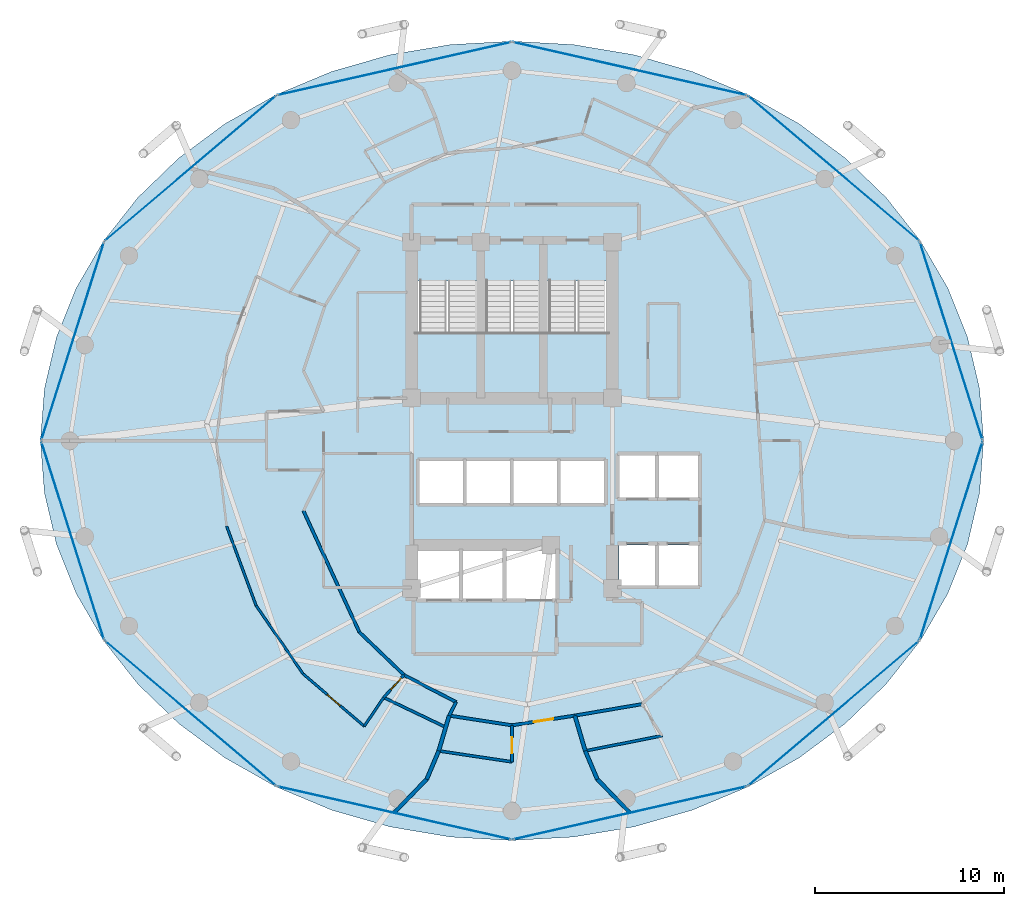
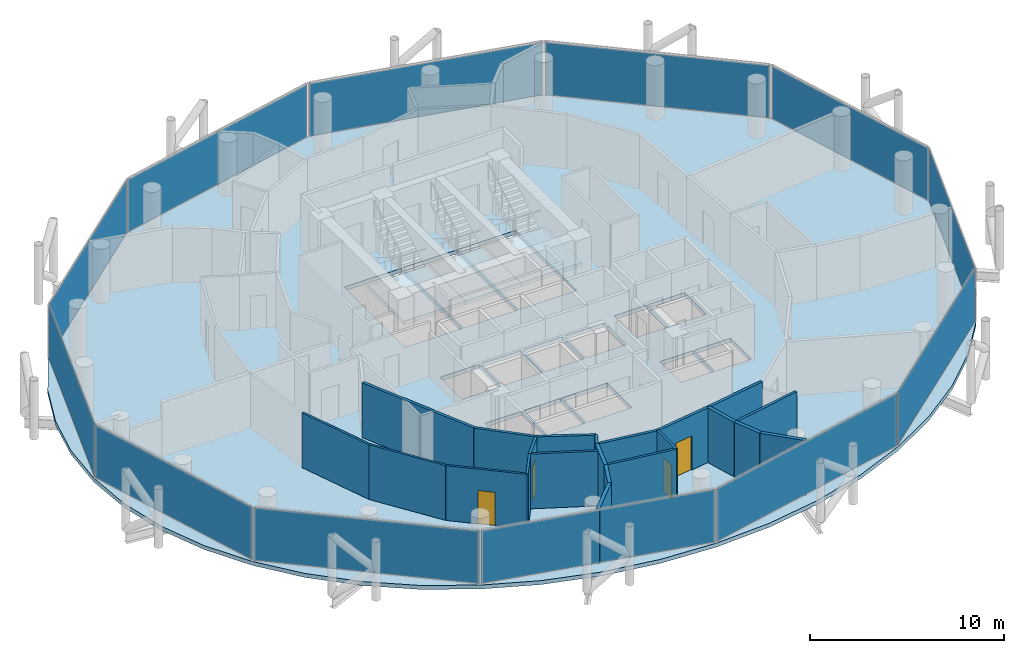
# One storey, part 21 of 26: 22 walls, 12 plates, 4 doors, 4 slabs, 4 openings, 15 elements without a shape of their own.
"""IFC4 building model written with IfcOpenShell, lengths in metres."""

from ifc_helpers import new_model, si_unit, direction, frame, frame_2d, origin, origin_2d, place, context, subcontext, project, spatial, polyline, rectangle, outline, extrude, material, layer, layer_set, type_object, element, fill, aggregate, save


model = new_model("IFC4")

# Units and contexts
model_context = context("Model", 3, precision=1e-05, world=origin(), true_north=direction((0.0, 1.0)))
body_context = subcontext(model_context, "Body", "Model", "MODEL_VIEW")
ifc_project = project(units=[si_unit("LENGTHUNIT", "METRE"), si_unit("AREAUNIT", "SQUARE_METRE"), si_unit("VOLUMEUNIT", "CUBIC_METRE"), si_unit("PLANEANGLEUNIT", "RADIAN"), si_unit("MASSUNIT", "GRAM", prefix="KILO")], contexts=[model_context])

# Site, building, storey
site_placement = place(None, origin())
site = spatial("IfcSite", under=ifc_project, at=site_placement, CompositionType="ELEMENT")
building_placement = place(site_placement, origin())
building = spatial("IfcBuilding", under=site, at=building_placement, Name="Nuhasar Tower", CompositionType="ELEMENT")
storey_placement = place(building_placement, frame((0.0, 0.0, 121.949951171875)))
storey = spatial("IfcBuildingStorey", under=building, at=storey_placement, Name="L28", CompositionType="ELEMENT", Elevation=121.949951171875)

# Curtain wall, plate
ifc_material_1 = material(Name="Aluminium 6063-T6", Category="aluminium")
ifc_layer_1 = layer(ifc_material_1, 0.199951171875)
ifc_layer_set_1 = layer_set([ifc_layer_1], Name="Aluminium 6063-T6")
curtain_wall_type = type_object("IfcCurtainWallType", Name="CW-Z2-HTL", PredefinedType="NOTDEFINED", material=ifc_layer_set_1)
curtain_wall_1_placement = place(storey_placement, origin())
curtain_wall_1 = element("IfcCurtainWall", 1, at=curtain_wall_1_placement, inside=storey, type_object=curtain_wall_type, Name="L28 Unitised Curtain Wall 01", PredefinedType="NOTDEFINED")
ifc_material_2 = material(Name="Glass Double Low-E", Category="glass")
ifc_layer_2 = layer(ifc_material_2, 0.028076171875)
ifc_layer_set_2 = layer_set([ifc_layer_2], Name="Glass Double Low-E")
plate_type = type_object("IfcPlateType", Name="CW-PANEL-GLZ", PredefinedType="CURTAIN_PANEL", material=ifc_layer_set_2)
plate_1_placement = place(storey_placement, frame((62.194580078125, 32.06494140625, 0.070068359375), z_axis=(0.0, 0.0, 1.0), x_axis=(-0.301603667577, 0.953433389233, 0.0)))
plate_1 = element("IfcPlate", 2, at=plate_1_placement, type_object=plate_type, Name="CW-Z2 panel 1.1", PredefinedType="CURTAIN_PANEL", context=body_context, shape_type="SweptSolid", body=[
    extrude(rectangle(XDim=10.904296875, YDim=0.028076171875, at=origin_2d()), origin(), (0.0, 0.0, 1.0), 3.31005859375),
])
aggregate(curtain_wall_1, [plate_1])

curtain_wall_2_placement = place(storey_placement, origin())
curtain_wall_2 = element("IfcCurtainWall", 3, at=curtain_wall_2_placement, inside=storey, type_object=curtain_wall_type, Name="L28 Unitised Curtain Wall 02", PredefinedType="NOTDEFINED")
plate_2_placement = place(storey_placement, frame((55.9794921875, 41.18408203125, 0.070068359375), z_axis=(0.0, 0.0, 1.0), x_axis=(-0.763020370292, 0.646374438324, 0.0)))
plate_2 = element("IfcPlate", 4, at=plate_2_placement, type_object=plate_type, Name="CW-Z2 panel 1.1", PredefinedType="CURTAIN_PANEL", context=body_context, shape_type="SweptSolid", body=[
    extrude(rectangle(XDim=11.784912109375, YDim=0.028076171875, at=origin_2d()), origin(), (0.0, 0.0, 1.0), 3.31005859375),
])
aggregate(curtain_wall_2, [plate_2])

curtain_wall_3_placement = place(storey_placement, origin())
curtain_wall_3 = element("IfcCurtainWall", 5, at=curtain_wall_3_placement, inside=storey, type_object=curtain_wall_type, Name="L28 Unitised Curtain Wall 03", PredefinedType="NOTDEFINED")
plate_3_placement = place(storey_placement, frame((45.215087890625, 46.448974609375, 0.070068359375), z_axis=(0.0, 0.0, 1.0), x_axis=(-0.975183694221, 0.22139729566, 0.0)))
plate_3 = element("IfcPlate", 6, at=plate_3_placement, type_object=plate_type, Name="CW-Z2 panel 1.1", PredefinedType="CURTAIN_PANEL", context=body_context, shape_type="SweptSolid", body=[
    extrude(rectangle(XDim=12.606201171875, YDim=0.028076171875, at=origin_2d()), origin(), (0.0, 0.0, 1.0), 3.31005859375),
])
aggregate(curtain_wall_3, [plate_3])

curtain_wall_4_placement = place(storey_placement, origin())
curtain_wall_4 = element("IfcCurtainWall", 7, at=curtain_wall_4_placement, inside=storey, type_object=curtain_wall_type, Name="L28 Unitised Curtain Wall 04", PredefinedType="NOTDEFINED")
plate_4_placement = place(storey_placement, frame((32.784912109375, 46.448974609375, 0.070068359375), z_axis=(0.0, 0.0, 1.0), x_axis=(-0.975183694221, -0.22139729566, 0.0)))
plate_4 = element("IfcPlate", 8, at=plate_4_placement, type_object=plate_type, Name="CW-Z2 panel 1.1", PredefinedType="CURTAIN_PANEL", context=body_context, shape_type="SweptSolid", body=[
    extrude(rectangle(XDim=12.606201171875, YDim=0.028076171875, at=origin_2d()), origin(), (0.0, 0.0, 1.0), 3.31005859375),
])
aggregate(curtain_wall_4, [plate_4])

curtain_wall_5_placement = place(storey_placement, origin())
curtain_wall_5 = element("IfcCurtainWall", 9, at=curtain_wall_5_placement, inside=storey, type_object=curtain_wall_type, Name="L28 Unitised Curtain Wall 05", PredefinedType="NOTDEFINED")
plate_5_placement = place(storey_placement, frame((22.0205078125, 41.18408203125, 0.070068359375), z_axis=(0.0, 0.0, 1.0), x_axis=(-0.763020370292, -0.646374438324, 0.0)))
plate_5 = element("IfcPlate", 10, at=plate_5_placement, type_object=plate_type, Name="CW-Z2 panel 1.1", PredefinedType="CURTAIN_PANEL", context=body_context, shape_type="SweptSolid", body=[
    extrude(rectangle(XDim=11.784912109375, YDim=0.028076171875, at=origin_2d()), origin(), (0.0, 0.0, 1.0), 3.31005859375),
])
aggregate(curtain_wall_5, [plate_5])

curtain_wall_6_placement = place(storey_placement, origin())
curtain_wall_6 = element("IfcCurtainWall", 11, at=curtain_wall_6_placement, inside=storey, type_object=curtain_wall_type, Name="L28 Unitised Curtain Wall 06", PredefinedType="NOTDEFINED")
plate_6_placement = place(storey_placement, frame((15.805419921875, 32.06494140625, 0.070068359375), z_axis=(0.0, 0.0, 1.0), x_axis=(-0.301603667577, -0.953433389233, 0.0)))
plate_6 = element("IfcPlate", 12, at=plate_6_placement, type_object=plate_type, Name="CW-Z2 panel 1.1", PredefinedType="CURTAIN_PANEL", context=body_context, shape_type="SweptSolid", body=[
    extrude(rectangle(XDim=10.904296875, YDim=0.028076171875, at=origin_2d()), origin(), (0.0, 0.0, 1.0), 3.31005859375),
])
aggregate(curtain_wall_6, [plate_6])

curtain_wall_7_placement = place(storey_placement, origin())
curtain_wall_7 = element("IfcCurtainWall", 13, at=curtain_wall_7_placement, inside=storey, type_object=curtain_wall_type, Name="L28 Unitised Curtain Wall 07", PredefinedType="NOTDEFINED")
plate_7_placement = place(storey_placement, frame((15.805419921875, 21.534912109375, 0.070068359375), z_axis=(0.0, 0.0, 1.0), x_axis=(0.301603667577, -0.953433389233, 0.0)))
plate_7 = element("IfcPlate", 14, at=plate_7_placement, type_object=plate_type, Name="CW-Z2 panel 1.1", PredefinedType="CURTAIN_PANEL", context=body_context, shape_type="SweptSolid", body=[
    extrude(rectangle(XDim=10.904296875, YDim=0.028076171875, at=origin_2d()), origin(), (0.0, 0.0, 1.0), 3.31005859375),
])
aggregate(curtain_wall_7, [plate_7])

curtain_wall_8_placement = place(storey_placement, origin())
curtain_wall_8 = element("IfcCurtainWall", 15, at=curtain_wall_8_placement, inside=storey, type_object=curtain_wall_type, Name="L28 Unitised Curtain Wall 08", PredefinedType="NOTDEFINED")
plate_8_placement = place(storey_placement, frame((22.0205078125, 12.416015625, 0.070068359375), z_axis=(0.0, 0.0, 1.0), x_axis=(0.763020370292, -0.646374438324, 0.0)))
plate_8 = element("IfcPlate", 16, at=plate_8_placement, type_object=plate_type, Name="CW-Z2 panel 1.1", PredefinedType="CURTAIN_PANEL", context=body_context, shape_type="SweptSolid", body=[
    extrude(rectangle(XDim=11.784912109375, YDim=0.028076171875, at=origin_2d()), origin(), (0.0, 0.0, 1.0), 3.31005859375),
])
aggregate(curtain_wall_8, [plate_8])

curtain_wall_9_placement = place(storey_placement, origin())
curtain_wall_9 = element("IfcCurtainWall", 17, at=curtain_wall_9_placement, inside=storey, type_object=curtain_wall_type, Name="L28 Unitised Curtain Wall 09", PredefinedType="NOTDEFINED")
plate_9_placement = place(storey_placement, frame((32.784912109375, 7.15087890625, 0.070068359375), z_axis=(0.0, 0.0, 1.0), x_axis=(0.975183694221, -0.22139729566, 0.0)))
plate_9 = element("IfcPlate", 18, at=plate_9_placement, type_object=plate_type, Name="CW-Z2 panel 1.1", PredefinedType="CURTAIN_PANEL", context=body_context, shape_type="SweptSolid", body=[
    extrude(rectangle(XDim=12.606201171875, YDim=0.028076171875, at=origin_2d()), origin(), (0.0, 0.0, 1.0), 3.31005859375),
])
aggregate(curtain_wall_9, [plate_9])

curtain_wall_10_placement = place(storey_placement, origin())
curtain_wall_10 = element("IfcCurtainWall", 19, at=curtain_wall_10_placement, inside=storey, type_object=curtain_wall_type, Name="L28 Unitised Curtain Wall 10", PredefinedType="NOTDEFINED")
plate_10_placement = place(storey_placement, frame((45.215087890625, 7.15087890625, 0.070068359375), z_axis=(0.0, 0.0, 1.0), x_axis=(0.975183694221, 0.22139729566, 0.0)))
plate_10 = element("IfcPlate", 20, at=plate_10_placement, type_object=plate_type, Name="CW-Z2 panel 1.1", PredefinedType="CURTAIN_PANEL", context=body_context, shape_type="SweptSolid", body=[
    extrude(rectangle(XDim=12.606201171875, YDim=0.028076171875, at=origin_2d()), origin(), (0.0, 0.0, 1.0), 3.31005859375),
])
aggregate(curtain_wall_10, [plate_10])

curtain_wall_11_placement = place(storey_placement, origin())
curtain_wall_11 = element("IfcCurtainWall", 21, at=curtain_wall_11_placement, inside=storey, type_object=curtain_wall_type, Name="L28 Unitised Curtain Wall 11", PredefinedType="NOTDEFINED")
plate_11_placement = place(storey_placement, frame((55.9794921875, 12.416015625, 0.070068359375), z_axis=(0.0, 0.0, 1.0), x_axis=(0.763020370292, 0.646374438324, 0.0)))
plate_11 = element("IfcPlate", 22, at=plate_11_placement, type_object=plate_type, Name="CW-Z2 panel 1.1", PredefinedType="CURTAIN_PANEL", context=body_context, shape_type="SweptSolid", body=[
    extrude(rectangle(XDim=11.784912109375, YDim=0.028076171875, at=origin_2d()), origin(), (0.0, 0.0, 1.0), 3.31005859375),
])
aggregate(curtain_wall_11, [plate_11])

curtain_wall_12_placement = place(storey_placement, origin())
curtain_wall_12 = element("IfcCurtainWall", 23, at=curtain_wall_12_placement, inside=storey, type_object=curtain_wall_type, Name="L28 Unitised Curtain Wall 12", PredefinedType="NOTDEFINED")
plate_12_placement = place(storey_placement, frame((62.194580078125, 21.534912109375, 0.070068359375), z_axis=(0.0, 0.0, 1.0), x_axis=(0.301603667577, 0.953433389233, 0.0)))
plate_12 = element("IfcPlate", 24, at=plate_12_placement, type_object=plate_type, Name="CW-Z2 panel 1.1", PredefinedType="CURTAIN_PANEL", context=body_context, shape_type="SweptSolid", body=[
    extrude(rectangle(XDim=10.904296875, YDim=0.028076171875, at=origin_2d()), origin(), (0.0, 0.0, 1.0), 3.31005859375),
])
aggregate(curtain_wall_12, [plate_12])

# Stair, slab
ifc_material_3 = material(Name="Concrete C45/55", Category="concrete")
stair_type_1 = type_object("IfcStairType", Name="STR-ST-01-2F-22R-1682", PredefinedType="HALF_TURN_STAIR", material=ifc_material_3)
stair_1_placement = place(storey_placement, origin())
stair_1 = element("IfcStair", 25, at=stair_1_placement, inside=storey, type_object=stair_type_1, Name="L28 Exit Stair ST-01", PredefinedType="HALF_TURN_STAIR")
ifc_layer_3 = layer(ifc_material_3, 0.239990234375)
ifc_layer_set_3 = layer_set([ifc_layer_3], Name="Concrete C45/55")
slab_type_1 = type_object("IfcSlabType", Name="SLB-STAIR-LND-240", PredefinedType="LANDING", material=ifc_layer_set_3)
slab_1_placement = place(storey_placement, frame((0.0, 0.0, 1.610107421875)))
slab_1 = element("IfcSlab", 26, at=slab_1_placement, type_object=slab_type_1, Name="ST-01 landing 1", PredefinedType="LANDING", context=body_context, shape_type="SweptSolid", body=[
    extrude(outline(polyline([(33.699951171875, 28.75), (37.35009765625, 28.75), (37.35009765625, 32.52001953125), (33.699951171875, 32.52001953125), (33.699951171875, 28.75)])), origin(), (0.0, 0.0, 1.0), 0.239990234375),
])
aggregate(stair_1, [slab_1])

stair_type_2 = type_object("IfcStairType", Name="STR-ST-03-2F-22R-1682", PredefinedType="HALF_TURN_STAIR", material=ifc_material_3)
stair_2_placement = place(storey_placement, origin())
stair_2 = element("IfcStair", 27, at=stair_2_placement, inside=storey, type_object=stair_type_2, Name="L28 Exit Stair ST-03", PredefinedType="HALF_TURN_STAIR")
slab_2_placement = place(storey_placement, frame((0.0, 0.0, 1.610107421875)))
slab_2 = element("IfcSlab", 28, at=slab_2_placement, type_object=slab_type_1, Name="ST-03 landing 1", PredefinedType="LANDING", context=body_context, shape_type="SweptSolid", body=[
    extrude(outline(polyline([(37.35009765625, 28.75), (40.64990234375, 28.75), (40.64990234375, 32.52001953125), (37.35009765625, 32.52001953125), (37.35009765625, 28.75)])), origin(), (0.0, 0.0, 1.0), 0.239990234375),
])
aggregate(stair_2, [slab_2])

stair_type_3 = type_object("IfcStairType", Name="STR-ST-02-2F-22R-1682", PredefinedType="HALF_TURN_STAIR", material=ifc_material_3)
stair_3_placement = place(storey_placement, origin())
stair_3 = element("IfcStair", 29, at=stair_3_placement, inside=storey, type_object=stair_type_3, Name="L28 Exit Stair ST-02", PredefinedType="HALF_TURN_STAIR")
slab_3_placement = place(storey_placement, frame((0.0, 0.0, 1.610107421875)))
slab_3 = element("IfcSlab", 30, at=slab_3_placement, type_object=slab_type_1, Name="ST-02 landing 1", PredefinedType="LANDING", context=body_context, shape_type="SweptSolid", body=[
    extrude(outline(polyline([(40.64990234375, 28.75), (44.300048828125, 28.75), (44.300048828125, 32.52001953125), (40.64990234375, 32.52001953125), (40.64990234375, 28.75)])), origin(), (0.0, 0.0, 1.0), 0.239990234375),
])
aggregate(stair_3, [slab_3])

# Slab
ifc_layer_4 = layer(ifc_material_3, 0.25)
ifc_layer_set_4 = layer_set([ifc_layer_4], Name="Concrete C45/55")
slab_type_2 = type_object("IfcSlabType", Name="SLB-Z1B-250", PredefinedType="FLOOR", material=ifc_layer_set_4)
slab_4_placement = place(storey_placement, frame((0.0, 0.0, -0.25)))
element("IfcSlab", 31, at=slab_4_placement, inside=storey, type_object=slab_type_2, Name="L28 Structural Slab", PredefinedType="FLOOR", context=body_context, shape_type="SweptSolid", body=[
    extrude(outline(polyline([(63.89990234375, 26.800048828125), (63.68701171875, 29.553955078125), (63.052001953125, 32.260986328125), (62.0048828125, 34.875), (60.56396484375, 37.35009765625), (58.75390625, 39.64501953125), (56.60693359375, 41.719970703125), (54.157958984375, 43.5400390625), (51.449951171875, 45.072998046875), (48.529052734375, 46.2939453125), (45.445068359375, 47.180908203125), (42.25, 47.718994140625), (39.0, 47.89990234375), (35.75, 47.718994140625), (32.554931640625, 47.180908203125), (29.470947265625, 46.2939453125), (26.550048828125, 45.072998046875), (23.842041015625, 43.5400390625), (21.39306640625, 41.719970703125), (19.24609375, 39.64501953125), (17.43603515625, 37.35009765625), (15.9951171875, 34.875), (14.947998046875, 32.260986328125), (14.31298828125, 29.553955078125), (14.10009765625, 26.800048828125), (14.31298828125, 24.0458984375), (14.947998046875, 21.339111328125), (15.9951171875, 18.72509765625), (17.43603515625, 16.25), (19.24609375, 13.955078125), (21.39306640625, 11.8798828125), (23.842041015625, 10.06005859375), (26.550048828125, 8.527099609375), (29.470947265625, 7.305908203125), (32.554931640625, 6.4189453125), (35.75, 5.881103515625), (39.0, 5.699951171875), (42.25, 5.881103515625), (45.445068359375, 6.4189453125), (48.529052734375, 7.305908203125), (51.449951171875, 8.527099609375), (54.157958984375, 10.06005859375), (56.60693359375, 11.8798828125), (58.75390625, 13.955078125), (60.56396484375, 16.25), (62.0048828125, 18.72509765625), (63.052001953125, 21.339111328125), (63.68701171875, 24.0458984375), (63.89990234375, 26.800048828125)]), holes=[polyline([(33.8798828125, 35.25), (37.300048828125, 35.25), (37.300048828125, 29.0), (33.8798828125, 29.0), (33.8798828125, 35.25)]), polyline([(37.39990234375, 35.25), (40.60009765625, 35.25), (40.60009765625, 29.0), (37.39990234375, 29.0), (37.39990234375, 35.25)]), polyline([(40.699951171875, 35.25), (44.1201171875, 35.25), (44.1201171875, 29.0), (40.699951171875, 29.0), (40.699951171875, 35.25)]), polyline([(44.64990234375, 26.050048828125), (46.60009765625, 26.050048828125), (46.60009765625, 23.800048828125), (44.64990234375, 23.800048828125), (44.64990234375, 26.050048828125)]), polyline([(46.699951171875, 26.050048828125), (48.85009765625, 26.050048828125), (48.85009765625, 23.800048828125), (46.699951171875, 23.800048828125), (46.699951171875, 26.050048828125)]), polyline([(44.64990234375, 21.300048828125), (46.60009765625, 21.300048828125), (46.60009765625, 19.14990234375), (44.64990234375, 19.14990234375), (44.64990234375, 21.300048828125)]), polyline([(46.699951171875, 21.300048828125), (48.85009765625, 21.300048828125), (48.85009765625, 19.14990234375), (46.699951171875, 19.14990234375), (46.699951171875, 21.300048828125)]), polyline([(34.10009765625, 25.75), (36.43994140625, 25.75), (36.43994140625, 23.5), (34.10009765625, 23.5), (34.10009765625, 25.75)]), polyline([(36.580078125, 25.75), (38.919921875, 25.75), (38.919921875, 23.5), (36.580078125, 23.5), (36.580078125, 25.75)]), polyline([(39.06005859375, 25.75), (41.39990234375, 25.75), (41.39990234375, 23.5), (39.06005859375, 23.5), (39.06005859375, 25.75)]), polyline([(41.5400390625, 25.75), (43.8798828125, 25.75), (43.8798828125, 23.5), (41.5400390625, 23.5), (41.5400390625, 25.75)]), polyline([(34.050048828125, 21.0), (36.25, 21.0), (36.25, 18.449951171875), (34.050048828125, 18.449951171875), (34.050048828125, 21.0)]), polyline([(36.35009765625, 21.0), (38.550048828125, 21.0), (38.550048828125, 18.449951171875), (36.35009765625, 18.449951171875), (36.35009765625, 21.0)]), polyline([(38.64990234375, 21.0), (41.320068359375, 21.0), (41.320068359375, 18.449951171875), (38.64990234375, 18.449951171875), (38.64990234375, 21.0)])]), origin(), (0.0, 0.0, 1.0), 0.25),
])

# Wall
ifc_material_4 = material(Name="Gypsum Board", Category="gypsum")
ifc_layer_5 = layer(ifc_material_4, 0.159912109375)
ifc_layer_set_5 = layer_set([ifc_layer_5], Name="Gypsum Board")
wall_type_1 = type_object("IfcWallType", Name="WL-CORR-160", PredefinedType="PARTITIONING", material=ifc_layer_set_5)
wall_1_placement = place(storey_placement, frame((35.681884765625, 12.2919921875, 0.0), z_axis=(0.0, 0.0, 1.0), x_axis=(0.988305190754, -0.152488851815, 0.0)))
element("IfcWall", 32, at=wall_1_placement, inside=storey, type_object=wall_type_1, Name="L28 Interior Partition CORR-34", PredefinedType="PARTITIONING", context=body_context, shape_type="SweptSolid", body=[
    extrude(rectangle(XDim=3.357421875, YDim=0.159912109375, at=frame_2d((1.6787109375, 0.0))), origin(), (0.0, 0.0, 1.0), 3.449951171875),
])

# Wall, opening, door
wall_2_placement = place(storey_placement, frame((42.318115234375, 12.2919921875, 0.0), z_axis=(0.0, 0.0, 1.0), x_axis=(-0.988305190754, -0.152488851815, 0.0)))
wall_2 = element("IfcWall", 33, at=wall_2_placement, inside=storey, type_object=wall_type_1, Name="L28 Interior Partition CORR-36", PredefinedType="PARTITIONING", context=body_context, shape_type="SweptSolid", body=[
    extrude(rectangle(XDim=3.357421875, YDim=0.159912109375, at=frame_2d((1.6787109375, 0.0))), origin(), (0.0, 0.0, 1.0), 3.449951171875),
])
opening_1_placement = place(wall_2_placement, frame((1.154052734375, 0.0, 0.0)))
opening_1 = element("IfcOpeningElement", 34, at=opening_1_placement, cuts=wall_2, Name="Opening DU-01", PredefinedType="OPENING", context=body_context, shape_type="SweptSolid", body=[
    extrude(rectangle(XDim=1.050048828125, YDim=2.14990234375, at=frame_2d((0.52490234375, 1.074951171875))), frame((0.0, 0.08984375, 0.0), z_axis=(0.0, -1.0, 0.0), x_axis=(1.0, 0.0, 0.0)), (0.0, 0.0, 1.0), 0.179931640625),
])
ifc_material_5 = material(Name="Timber Oak", Category="wood")
door_type_1 = type_object("IfcDoorType", Name="DR-SUITE-FD60-1050", OperationType="NOTDEFINED", PredefinedType="DOOR", material=ifc_material_5)
door_1_placement = place(opening_1_placement, origin())
door_1 = element("IfcDoor", 35, at=door_1_placement, inside=storey, type_object=door_type_1, Name="L28 Deluxe Junior Suite 01 Entrance Door", OperationType="SINGLE_SWING_LEFT", OverallHeight=2.14990234375, OverallWidth=1.050048828125, PredefinedType="DOOR", context=body_context, shape_type="SweptSolid", body=[
    extrude(rectangle(XDim=1.050048828125, YDim=2.14990234375, at=frame_2d((0.52490234375, 1.074951171875))), frame((0.0, 0.02490234375, 0.0), z_axis=(0.0, -1.0, 0.0), x_axis=(1.0, 0.0, 0.0)), (0.0, 0.0, 1.0), 0.050048828125),
])
fill(opening_1, door_1)

# Walls
wall_3_placement = place(storey_placement, frame((42.318115234375, 12.2919921875, 0.0), z_axis=(0.0, 0.0, 1.0), x_axis=(0.985751576779, 0.168207695658, 0.0)))
element("IfcWall", 36, at=wall_3_placement, inside=storey, type_object=wall_type_1, Name="L28 Interior Partition CORR-38", PredefinedType="PARTITIONING", context=body_context, shape_type="SweptSolid", body=[
    extrude(rectangle(XDim=3.5849609375, YDim=0.159912109375, at=frame_2d((1.79248046875, 0.0))), origin(), (0.0, 0.0, 1.0), 3.449951171875),
])
wall_4_placement = place(storey_placement, frame((36.049072265625, 13.007080078125, 0.0), z_axis=(0.0, 0.0, 1.0), x_axis=(-0.456785198059, -0.889577024678, 0.0)))
element("IfcWall", 37, at=wall_4_placement, inside=storey, type_object=wall_type_1, Name="L28 Interior Partition HRAD-34-IN", PredefinedType="PARTITIONING", context=body_context, shape_type="SweptSolid", body=[
    extrude(rectangle(XDim=0.803955078125, YDim=0.159912109375, at=frame_2d((0.40185546875, 0.0))), origin(), (0.0, 0.0, 1.0), 3.449951171875),
])
wall_5_placement = place(storey_placement, frame((27.988037109375, 23.10400390625, 0.0), z_axis=(0.0, 0.0, 1.0), x_axis=(0.418656179426, -0.908144814128, 0.0)))
element("IfcWall", 38, at=wall_5_placement, inside=storey, type_object=wall_type_1, Name="L28 Interior Partition HWEST-CORE-S1-26", PredefinedType="PARTITIONING", context=body_context, shape_type="SweptSolid", body=[
    extrude(rectangle(XDim=7.048583984375, YDim=0.159912109375, at=frame_2d((3.5244140625, 0.0))), origin(), (0.0, 0.0, 1.0), 3.449951171875),
])
wall_6_placement = place(storey_placement, frame((30.93896484375, 16.702880859375, 0.0), z_axis=(0.0, 0.0, 1.0), x_axis=(0.72090897908, -0.693029756851, 0.0)))
element("IfcWall", 39, at=wall_6_placement, inside=storey, type_object=wall_type_1, Name="L28 Interior Partition HWEST-CORE-S2-30", PredefinedType="PARTITIONING", context=body_context, shape_type="SweptSolid", body=[
    extrude(rectangle(XDim=3.275146484375, YDim=0.159912109375, at=frame_2d((1.6376953125, 0.0))), origin(), (0.0, 0.0, 1.0), 3.449951171875),
])
wall_7_placement = place(storey_placement, frame((33.300048828125, 14.43310546875, 0.0), z_axis=(0.0, 0.0, 1.0), x_axis=(0.887674575788, -0.460471331898, 0.0)))
element("IfcWall", 40, at=wall_7_placement, inside=storey, type_object=wall_type_1, Name="L28 Interior Partition HWEST-CORE-S2-32", PredefinedType="PARTITIONING", context=body_context, shape_type="SweptSolid", body=[
    extrude(rectangle(XDim=3.096923828125, YDim=0.159912109375, at=frame_2d((1.54833984375, 0.0))), origin(), (0.0, 0.0, 1.0), 3.449951171875),
])
ifc_layer_6 = layer(ifc_material_4, 0.125)
ifc_layer_set_6 = layer_set([ifc_layer_6], Name="Gypsum Board")
wall_type_2 = type_object("IfcWallType", Name="WL-PART-125", PredefinedType="PARTITIONING", material=ifc_layer_set_6)
wall_8_placement = place(storey_placement, frame((32.22509765625, 13.2470703125, 0.0), z_axis=(0.0, 0.0, 1.0), x_axis=(-0.560137086464, -0.828399930207, 0.0)))
element("IfcWall", 41, at=wall_8_placement, inside=storey, type_object=wall_type_2, Name="L28 Interior Partition HWS2-N", PredefinedType="PARTITIONING", context=body_context, shape_type="SweptSolid", body=[
    extrude(rectangle(XDim=1.830078125, YDim=0.125, at=frame_2d((0.9150390625, 0.0))), origin(), (0.0, 0.0, 1.0), 3.449951171875),
])
wall_9_placement = place(storey_placement, frame((23.931884765625, 22.297119140625, 0.0), z_axis=(0.0, 0.0, 1.0), x_axis=(0.348031805078, -0.93748272659, 0.0)))
element("IfcWall", 42, at=wall_9_placement, inside=storey, type_object=wall_type_2, Name="L28 Interior Partition HWS2-ARC-26", PredefinedType="PARTITIONING", context=body_context, shape_type="SweptSolid", body=[
    extrude(rectangle(XDim=4.476806640625, YDim=0.125, at=frame_2d((2.23828125, 0.0))), origin(), (0.0, 0.0, 1.0), 3.449951171875),
])
wall_10_placement = place(storey_placement, frame((25.489990234375, 18.10009765625, 0.0), z_axis=(0.0, 0.0, 1.0), x_axis=(0.566723041571, -0.823908365143, 0.0)))
element("IfcWall", 43, at=wall_10_placement, inside=storey, type_object=wall_type_2, Name="L28 Interior Partition HWS2-ARC-28", PredefinedType="PARTITIONING", context=body_context, shape_type="SweptSolid", body=[
    extrude(rectangle(XDim=4.374267578125, YDim=0.125, at=frame_2d((2.18701171875, 0.0))), origin(), (0.0, 0.0, 1.0), 3.449951171875),
])

# Wall, opening, door
wall_11_placement = place(storey_placement, frame((27.968994140625, 14.49609375, 0.0), z_axis=(0.0, 0.0, 1.0), x_axis=(0.759750776123, -0.650214394013, 0.0)))
wall_11 = element("IfcWall", 44, at=wall_11_placement, inside=storey, type_object=wall_type_2, Name="L28 Interior Partition HWS2-ARC-30", PredefinedType="PARTITIONING", context=body_context, shape_type="SweptSolid", body=[
    extrude(rectangle(XDim=4.252685546875, YDim=0.125, at=frame_2d((2.12646484375, 0.0))), origin(), (0.0, 0.0, 1.0), 3.449951171875),
])
opening_2_placement = place(wall_11_placement, frame((1.676025390625, 0.0, 0.0)))
opening_2 = element("IfcOpeningElement", 45, at=opening_2_placement, cuts=wall_11, Name="Opening DR-01", PredefinedType="OPENING", context=body_context, shape_type="SweptSolid", body=[
    extrude(rectangle(XDim=0.89990234375, YDim=2.10009765625, at=frame_2d((0.449951171875, 1.050048828125))), frame((0.0, 0.072509765625, 0.0), z_axis=(0.0, -1.0, 0.0), x_axis=(1.0, 0.0, 0.0)), (0.0, 0.0, 1.0), 0.14501953125),
])
door_type_2 = type_object("IfcDoorType", Name="DR-ROOM-900", OperationType="NOTDEFINED", PredefinedType="DOOR", material=ifc_material_5)
door_2_placement = place(opening_2_placement, origin())
door_2 = element("IfcDoor", 46, at=door_2_placement, inside=storey, type_object=door_type_2, Name="L28 South-West Presidential Suite Bedroom Door", OperationType="SINGLE_SWING_LEFT", OverallHeight=2.10009765625, OverallWidth=0.89990234375, PredefinedType="DOOR", context=body_context, shape_type="SweptSolid", body=[
    extrude(rectangle(XDim=0.89990234375, YDim=2.10009765625, at=frame_2d((0.449951171875, 1.050048828125))), frame((0.0, 0.02490234375, 0.0), z_axis=(0.0, -1.0, 0.0), x_axis=(1.0, 0.0, 0.0)), (0.0, 0.0, 1.0), 0.050048828125),
])
fill(opening_2, door_2)

# Walls
ifc_material_6 = material(Name="Concrete C40/50 precast", Category="concrete")
ifc_layer_7 = layer(ifc_material_6, 0.199951171875)
ifc_layer_set_7 = layer_set([ifc_layer_7], Name="Concrete C40/50 precast")
wall_type_3 = type_object("IfcWallType", Name="WL-UNIT-200", PredefinedType="PARTITIONING", material=ifc_layer_set_7)
wall_12_placement = place(storey_placement, frame((35.681884765625, 12.2919921875, 0.0), z_axis=(0.0, 0.0, 1.0), x_axis=(-0.283369770593, -0.959010726277, 0.0)))
element("IfcWall", 47, at=wall_12_placement, inside=storey, type_object=wall_type_3, Name="L28 Interior Partition HRAD-34-OUT-S1", PredefinedType="PARTITIONING", context=body_context, shape_type="SweptSolid", body=[
    extrude(rectangle(XDim=1.943603515625, YDim=0.199951171875, at=frame_2d((0.9716796875, 0.0))), origin(), (0.0, 0.0, 1.0), 3.449951171875),
])
wall_13_placement = place(storey_placement, frame((35.131103515625, 10.427978515625, 0.0), z_axis=(0.0, 0.0, 1.0), x_axis=(-0.389767285182, -0.920913385396, 0.0)))
element("IfcWall", 48, at=wall_13_placement, inside=storey, type_object=wall_type_3, Name="L28 Interior Partition HRAD-34-OUT-S2", PredefinedType="PARTITIONING", context=body_context, shape_type="SweptSolid", body=[
    extrude(rectangle(XDim=1.626708984375, YDim=0.199951171875, at=frame_2d((0.8134765625, 0.0))), origin(), (0.0, 0.0, 1.0), 3.449951171875),
])
wall_14_placement = place(storey_placement, frame((34.4970703125, 8.929931640625, 0.0), z_axis=(0.0, 0.0, 1.0), x_axis=(-0.698293830776, -0.715811236221, 0.0)))
element("IfcWall", 49, at=wall_14_placement, inside=storey, type_object=wall_type_3, Name="L28 Interior Partition HRAD-34-OUT-S3", PredefinedType="PARTITIONING", context=body_context, shape_type="SweptSolid", body=[
    extrude(rectangle(XDim=2.43896484375, YDim=0.199951171875, at=frame_2d((1.219482421875, 0.0))), origin(), (0.0, 0.0, 1.0), 3.449951171875),
])
wall_15_placement = place(storey_placement, frame((42.318115234375, 12.2919921875, 0.0), z_axis=(0.0, 0.0, 1.0), x_axis=(0.283369770593, -0.959010726277, 0.0)))
element("IfcWall", 50, at=wall_15_placement, inside=storey, type_object=wall_type_3, Name="L28 Interior Partition HRAD-38-S1", PredefinedType="PARTITIONING", context=body_context, shape_type="SweptSolid", body=[
    extrude(rectangle(XDim=1.943603515625, YDim=0.199951171875, at=frame_2d((0.9716796875, 0.0))), origin(), (0.0, 0.0, 1.0), 3.449951171875),
])
wall_16_placement = place(storey_placement, frame((42.868896484375, 10.427978515625, 0.0), z_axis=(0.0, 0.0, 1.0), x_axis=(0.389767285182, -0.920913385396, 0.0)))
element("IfcWall", 51, at=wall_16_placement, inside=storey, type_object=wall_type_3, Name="L28 Interior Partition HRAD-38-S2", PredefinedType="PARTITIONING", context=body_context, shape_type="SweptSolid", body=[
    extrude(rectangle(XDim=1.626708984375, YDim=0.199951171875, at=frame_2d((0.8134765625, 0.0))), origin(), (0.0, 0.0, 1.0), 3.449951171875),
])
wall_17_placement = place(storey_placement, frame((43.5029296875, 8.929931640625, 0.0), z_axis=(0.0, 0.0, 1.0), x_axis=(0.698293830776, -0.715811236221, 0.0)))
element("IfcWall", 52, at=wall_17_placement, inside=storey, type_object=wall_type_3, Name="L28 Interior Partition HRAD-38-S3", PredefinedType="PARTITIONING", context=body_context, shape_type="SweptSolid", body=[
    extrude(rectangle(XDim=2.43896484375, YDim=0.199951171875, at=frame_2d((1.219482421875, 0.0))), origin(), (0.0, 0.0, 1.0), 3.449951171875),
])

# Wall, opening, door
ifc_layer_8 = layer(ifc_material_6, 0.139892578125)
ifc_layer_set_8 = layer_set([ifc_layer_8], Name="Concrete C40/50 precast")
wall_type_4 = type_object("IfcWallType", Name="WL-WET-140", PredefinedType="PARTITIONING", material=ifc_layer_set_8)
wall_18_placement = place(storey_placement, frame((39.0, 11.780029296875, 0.0), z_axis=(0.0, 0.0, 1.0), x_axis=(0.0, -1.0, 0.0)))
wall_18 = element("IfcWall", 53, at=wall_18_placement, inside=storey, type_object=wall_type_4, Name="L28 Interior Partition HBW-01", PredefinedType="PARTITIONING", context=body_context, shape_type="SweptSolid", body=[
    extrude(rectangle(XDim=1.929931640625, YDim=0.139892578125, at=frame_2d((0.96484375, 0.0))), origin(), (0.0, 0.0, 1.0), 3.449951171875),
])
opening_3_placement = place(wall_18_placement, frame((0.635986328125, 0.0, 0.0)))
opening_3 = element("IfcOpeningElement", 54, at=opening_3_placement, cuts=wall_18, Name="Opening DB-01", PredefinedType="OPENING", context=body_context, shape_type="SweptSolid", body=[
    extrude(rectangle(XDim=0.85009765625, YDim=2.10009765625, at=frame_2d((0.425048828125, 1.050048828125))), frame((0.0, 0.080078125, 0.0), z_axis=(0.0, -1.0, 0.0), x_axis=(1.0, 0.0, 0.0)), (0.0, 0.0, 1.0), 0.159912109375),
])
door_type_3 = type_object("IfcDoorType", Name="DR-BATH-850", OperationType="NOTDEFINED", PredefinedType="DOOR", material=ifc_material_5)
door_3_placement = place(opening_3_placement, origin())
door_3 = element("IfcDoor", 55, at=door_3_placement, inside=storey, type_object=door_type_3, Name="L28 Deluxe Junior Suite 01 En-Suite Door", OperationType="SINGLE_SWING_RIGHT", OverallHeight=2.10009765625, OverallWidth=0.85009765625, PredefinedType="DOOR", context=body_context, shape_type="SweptSolid", body=[
    extrude(rectangle(XDim=0.85009765625, YDim=2.10009765625, at=frame_2d((0.425048828125, 1.050048828125))), frame((0.0, 0.02490234375, 0.0), z_axis=(0.0, -1.0, 0.0), x_axis=(1.0, 0.0, 0.0)), (0.0, 0.0, 1.0), 0.050048828125),
])
fill(opening_3, door_3)

# Walls
wall_19_placement = place(storey_placement, frame((35.131103515625, 10.427978515625, 0.0), z_axis=(0.0, 0.0, 1.0), x_axis=(0.989028176976, -0.147726995324, 0.0)))
element("IfcWall", 56, at=wall_19_placement, inside=storey, type_object=wall_type_4, Name="L28 Interior Partition HBF-01-34", PredefinedType="PARTITIONING", context=body_context, shape_type="SweptSolid", body=[
    extrude(rectangle(XDim=3.911865234375, YDim=0.139892578125, at=frame_2d((1.9560546875, 0.0))), origin(), (0.0, 0.0, 1.0), 3.449951171875),
])
wall_20_placement = place(storey_placement, frame((42.868896484375, 10.427978515625, 0.0), z_axis=(0.0, 0.0, 1.0), x_axis=(0.9810430499, 0.193789922966, 0.0)))
element("IfcWall", 57, at=wall_20_placement, inside=storey, type_object=wall_type_4, Name="L28 Interior Partition HBF-02-38", PredefinedType="PARTITIONING", context=body_context, shape_type="SweptSolid", body=[
    extrude(rectangle(XDim=4.138427734375, YDim=0.139892578125, at=frame_2d((2.0693359375, 0.0))), origin(), (0.0, 0.0, 1.0), 3.449951171875),
])

# Wall, opening, door
wall_21_placement = place(storey_placement, frame((33.300048828125, 14.43310546875, 0.0), z_axis=(0.0, 0.0, 1.0), x_axis=(-0.671556062003, -0.740953747266, 0.0)))
wall_21 = element("IfcWall", 58, at=wall_21_placement, inside=storey, type_object=wall_type_4, Name="L28 Interior Partition HBW2-N", PredefinedType="PARTITIONING", context=body_context, shape_type="SweptSolid", body=[
    extrude(rectangle(XDim=1.6005859375, YDim=0.139892578125, at=frame_2d((0.80029296875, 0.0))), origin(), (0.0, 0.0, 1.0), 3.449951171875),
])
opening_4_placement = place(wall_21_placement, frame((0.199951171875, 0.0, 0.0)))
opening_4 = element("IfcOpeningElement", 59, at=opening_4_placement, cuts=wall_21, Name="Opening DB-01", PredefinedType="OPENING", context=body_context, shape_type="SweptSolid", body=[
    extrude(rectangle(XDim=0.85009765625, YDim=2.10009765625, at=frame_2d((0.425048828125, 1.050048828125))), frame((0.0, 0.080078125, 0.0), z_axis=(0.0, -1.0, 0.0), x_axis=(1.0, 0.0, 0.0)), (0.0, 0.0, 1.0), 0.159912109375),
])
door_4_placement = place(opening_4_placement, origin())
door_4 = element("IfcDoor", 60, at=door_4_placement, inside=storey, type_object=door_type_3, Name="L28 South-West Presidential Suite En-Suite Door", OperationType="SINGLE_SWING_LEFT", OverallHeight=2.10009765625, OverallWidth=0.85009765625, PredefinedType="DOOR", context=body_context, shape_type="SweptSolid", body=[
    extrude(rectangle(XDim=0.85009765625, YDim=2.10009765625, at=frame_2d((0.425048828125, 1.050048828125))), frame((0.0, 0.02490234375, 0.0), z_axis=(0.0, -1.0, 0.0), x_axis=(1.0, 0.0, 0.0)), (0.0, 0.0, 1.0), 0.050048828125),
])
fill(opening_4, door_4)

# Wall
wall_22_placement = place(storey_placement, frame((32.22509765625, 13.2470703125, 0.0), z_axis=(0.0, 0.0, 1.0), x_axis=(0.902016722043, -0.431701092372, 0.0)))
element("IfcWall", 61, at=wall_22_placement, inside=storey, type_object=wall_type_4, Name="L28 Interior Partition HBW2-E", PredefinedType="PARTITIONING", context=body_context, shape_type="SweptSolid", body=[
    extrude(rectangle(XDim=3.622802734375, YDim=0.139892578125, at=frame_2d((1.8115234375, 0.0))), origin(), (0.0, 0.0, 1.0), 3.449951171875),
])

save(model, "model.ifc")
